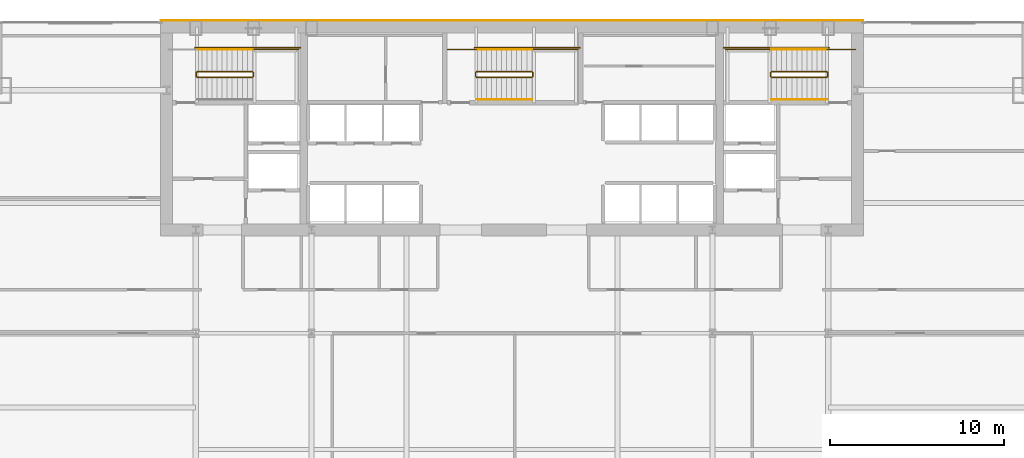
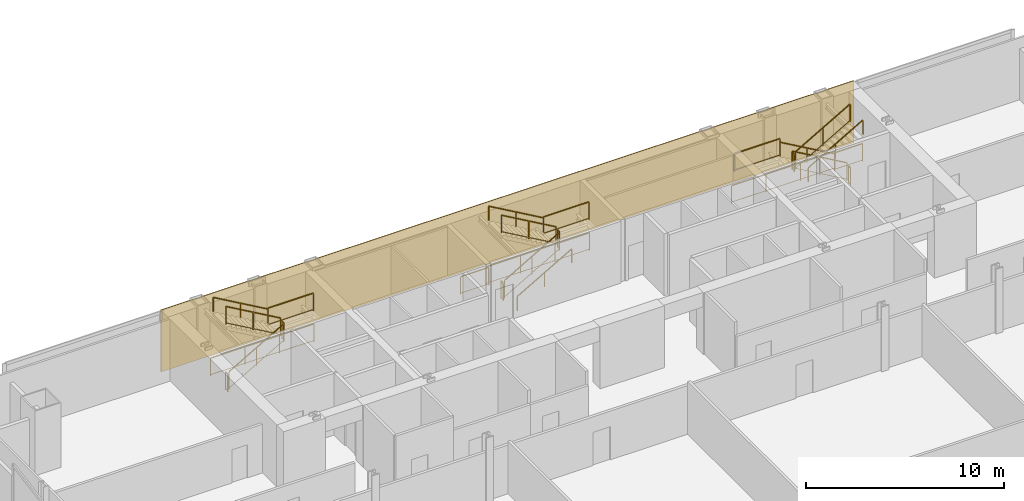
# One storey, part 30 of 30: 25 railings, 1 covering.
"""IFC4 building model written with IfcOpenShell, lengths in metres."""

from ifc_helpers import new_model, si_unit, direction, frame, origin, origin_2d, place, context, subcontext, project, spatial, polyline, rectangle, outline, extrude, material, layer, layer_set, type_object, element, save


model = new_model("IFC4")

# Units and contexts
model_context = context("Model", 3, precision=1e-05, world=origin(), true_north=direction((0.0, 1.0)))
body_context = subcontext(model_context, "Body", "Model", "MODEL_VIEW")
ifc_project = project(units=[si_unit("LENGTHUNIT", "METRE"), si_unit("AREAUNIT", "SQUARE_METRE"), si_unit("VOLUMEUNIT", "CUBIC_METRE"), si_unit("PLANEANGLEUNIT", "RADIAN"), si_unit("MASSUNIT", "GRAM", prefix="KILO")], contexts=[model_context])

# Site, building, storey
site_placement = place(None, origin())
site = spatial("IfcSite", under=ifc_project, at=site_placement, CompositionType="ELEMENT")
building_placement = place(site_placement, origin())
building = spatial("IfcBuilding", under=site, at=building_placement, Name="Khoronbel Lancet Exchange", CompositionType="ELEMENT")
storey_placement = place(building_placement, frame((0.0, 0.0, 90.60009765625)))
storey = spatial("IfcBuildingStorey", under=building, at=storey_placement, Name="L21", CompositionType="ELEMENT", Elevation=90.60009765625)

# Covering
ifc_material_1 = material(Name="Honed Egyptian Limestone & Bronze Rainscreen", Category="masonry")
ifc_layer = layer(ifc_material_1, 0.050048828125, Name="Honed Egyptian Limestone & Bronze Rainscreen")
ifc_layer_set = layer_set([ifc_layer], Name="Honed Egyptian Limestone & Bronze Rainscreen")
covering_type = type_object("IfcCoveringType", Name="COV-CLAD1", PredefinedType="CLADDING", material=ifc_layer_set)
covering_placement = place(storey_placement, origin())
element("IfcCovering", 1, at=covering_placement, inside=storey, type_object=covering_type, Name="Level L21 north rear-core stone and bronze rainscreen cladding", PredefinedType="CLADDING", context=body_context, shape_type="SweptSolid", body=[
    extrude(outline(polyline([(16.199951171875, 53.699951171875), (56.699951171875, 53.699951171875), (56.699951171875, 53.75), (16.199951171875, 53.75), (16.199951171875, 53.699951171875)])), origin(), (0.0, 0.0, 1.0), 3.81982421875),
])

# Railings
ifc_material_2 = material(Name="Painted Steel Balustrade", Category="steel")
railing_type_1 = type_object("IfcRailingType", Name="RL-STG110", PredefinedType="GUARDRAIL", material=ifc_material_2)
railing_1_placement = place(storey_placement, frame((18.300048828125, 50.449951171875, 0.16650390625)))
element("IfcRailing", 2, at=railing_1_placement, inside=storey, type_object=railing_type_1, Name="L21 ST1 stair guard 1", PredefinedType="GUARDRAIL", context=body_context, shape_type="SweptSolid", body=[
    extrude(rectangle(XDim=0.048095703125, YDim=0.048095703125, at=origin_2d()), frame((0.0, 0.0, 1.09619140625), z_axis=(0.86699087805, 0.0, 0.498324008431), x_axis=(0.0, 1.0, 0.0)), (0.0, 0.0, 1.0), 3.679443359375),
    extrude(rectangle(XDim=0.02392578125, YDim=0.02392578125, at=origin_2d()), frame((0.0, 0.0, 0.080078125), z_axis=(0.86699087805, 0.0, 0.498324008431), x_axis=(0.0, 1.0, 0.0)), (0.0, 0.0, 1.0), 3.679443359375),
    extrude(rectangle(XDim=0.0419921875, YDim=0.0419921875, at=origin_2d()), origin(), (0.0, 0.0, 1.0), 1.072021484375),
    extrude(rectangle(XDim=0.0419921875, YDim=0.0419921875, at=origin_2d()), frame((1.594970703125, 0.0, 0.916748046875)), (0.0, 0.0, 1.0), 1.072021484375),
    extrude(rectangle(XDim=0.0419921875, YDim=0.0419921875, at=origin_2d()), frame((3.18994140625, 0.0, 1.83349609375)), (0.0, 0.0, 1.0), 1.072021484375),
])
railing_2_placement = place(storey_placement, frame((21.5400390625, 50.5, 2.0)))
element("IfcRailing", 3, at=railing_2_placement, inside=storey, type_object=railing_type_1, Name="L21 ST1 stair guard 2", PredefinedType="GUARDRAIL", context=body_context, shape_type="SweptSolid", body=[
    extrude(rectangle(XDim=0.048095703125, YDim=0.048095703125, at=origin_2d()), frame((0.0, 0.0, 1.09619140625), z_axis=(0.0, 1.0, 0.0), x_axis=(-1.0, 0.0, 0.0)), (0.0, 0.0, 1.0), 0.219970703125),
    extrude(rectangle(XDim=0.02392578125, YDim=0.02392578125, at=origin_2d()), frame((0.0, 0.0, 0.080078125), z_axis=(0.0, 1.0, 0.0), x_axis=(-1.0, 0.0, 0.0)), (0.0, 0.0, 1.0), 0.219970703125),
    extrude(rectangle(XDim=0.0419921875, YDim=0.0419921875, at=origin_2d()), origin(), (0.0, 0.0, 1.0), 1.072021484375),
    extrude(rectangle(XDim=0.0419921875, YDim=0.0419921875, at=origin_2d()), frame((0.0, 0.219970703125, 0.0)), (0.0, 0.0, 1.0), 1.072021484375),
])
railing_3_placement = place(storey_placement, frame((21.489990234375, 52.050048828125, 2.0)))
element("IfcRailing", 4, at=railing_3_placement, inside=storey, type_object=railing_type_1, Name="L21 ST1 stair guard 3", PredefinedType="GUARDRAIL", context=body_context, shape_type="SweptSolid", body=[
    extrude(rectangle(XDim=0.048095703125, YDim=0.048095703125, at=origin_2d()), frame((0.0, 0.0, 1.09619140625), z_axis=(1.0, 0.0, 0.0), x_axis=(0.0, 1.0, 0.0)), (0.0, 0.0, 1.0), 2.659912109375),
    extrude(rectangle(XDim=0.02392578125, YDim=0.02392578125, at=origin_2d()), frame((0.0, 0.0, 0.080078125), z_axis=(1.0, 0.0, 0.0), x_axis=(0.0, 1.0, 0.0)), (0.0, 0.0, 1.0), 2.659912109375),
    extrude(rectangle(XDim=0.0419921875, YDim=0.0419921875, at=origin_2d()), origin(), (0.0, 0.0, 1.0), 1.072021484375),
    extrude(rectangle(XDim=0.0419921875, YDim=0.0419921875, at=origin_2d()), frame((2.659912109375, 0.0, 0.0)), (0.0, 0.0, 1.0), 1.072021484375),
])
railing_4_placement = place(storey_placement, frame((21.489990234375, 50.77001953125, 2.16650390625)))
element("IfcRailing", 5, at=railing_4_placement, inside=storey, type_object=railing_type_1, Name="L21 ST1 stair guard 4", PredefinedType="GUARDRAIL", context=body_context, shape_type="SweptSolid", body=[
    extrude(rectangle(XDim=0.048095703125, YDim=0.048095703125, at=origin_2d()), frame((0.0, 0.0, 1.09619140625), z_axis=(-0.86699087805, 0.0, 0.498324008431), x_axis=(0.0, -1.0, 0.0)), (0.0, 0.0, 1.0), 3.679443359375),
    extrude(rectangle(XDim=0.02392578125, YDim=0.02392578125, at=origin_2d()), frame((0.0, 0.0, 0.080078125), z_axis=(-0.86699087805, 0.0, 0.498324008431), x_axis=(0.0, -1.0, 0.0)), (0.0, 0.0, 1.0), 3.679443359375),
    extrude(rectangle(XDim=0.0419921875, YDim=0.0419921875, at=origin_2d()), origin(), (0.0, 0.0, 1.0), 1.072021484375),
    extrude(rectangle(XDim=0.0419921875, YDim=0.0419921875, at=origin_2d()), frame((-1.594970703125, 0.0, 0.916748046875)), (0.0, 0.0, 1.0), 1.072021484375),
    extrude(rectangle(XDim=0.0419921875, YDim=0.0419921875, at=origin_2d()), frame((-3.18994140625, 0.0, 1.83349609375)), (0.0, 0.0, 1.0), 1.072021484375),
])
railing_5_placement = place(storey_placement, frame((18.25, 50.5, 0.0)))
element("IfcRailing", 6, at=railing_5_placement, inside=storey, type_object=railing_type_1, Name="L21 ST1 stair guard 5", PredefinedType="GUARDRAIL", context=body_context, shape_type="SweptSolid", body=[
    extrude(rectangle(XDim=0.048095703125, YDim=0.048095703125, at=origin_2d()), frame((0.0, 0.0, 1.09619140625), z_axis=(0.0, 1.0, 0.0), x_axis=(-1.0, 0.0, 0.0)), (0.0, 0.0, 1.0), 0.219970703125),
    extrude(rectangle(XDim=0.02392578125, YDim=0.02392578125, at=origin_2d()), frame((0.0, 0.0, 0.080078125), z_axis=(0.0, 1.0, 0.0), x_axis=(-1.0, 0.0, 0.0)), (0.0, 0.0, 1.0), 0.219970703125),
    extrude(rectangle(XDim=0.0419921875, YDim=0.0419921875, at=origin_2d()), origin(), (0.0, 0.0, 1.0), 1.072021484375),
    extrude(rectangle(XDim=0.0419921875, YDim=0.0419921875, at=origin_2d()), frame((0.0, 0.219970703125, 0.0)), (0.0, 0.0, 1.0), 1.072021484375),
])
railing_6_placement = place(storey_placement, frame((18.199951171875, 52.14990234375, 0.0)))
element("IfcRailing", 7, at=railing_6_placement, inside=storey, type_object=railing_type_1, Name="L21 ST1 stair guard 7", PredefinedType="GUARDRAIL", context=body_context, shape_type="SweptSolid", body=[
    extrude(rectangle(XDim=0.048095703125, YDim=0.048095703125, at=origin_2d()), frame((0.0, 0.0, 1.09619140625), z_axis=(1.0, 0.0, 0.0), x_axis=(0.0, 1.0, 0.0)), (0.0, 0.0, 1.0), 6.050048828125),
    extrude(rectangle(XDim=0.02392578125, YDim=0.02392578125, at=origin_2d()), frame((0.0, 0.0, 0.080078125), z_axis=(1.0, 0.0, 0.0), x_axis=(0.0, 1.0, 0.0)), (0.0, 0.0, 1.0), 6.050048828125),
    extrude(rectangle(XDim=0.0419921875, YDim=0.0419921875, at=origin_2d()), origin(), (0.0, 0.0, 1.0), 1.072021484375),
    extrude(rectangle(XDim=0.0419921875, YDim=0.0419921875, at=origin_2d()), frame((2.0166015625, 0.0, 0.0)), (0.0, 0.0, 1.0), 1.072021484375),
    extrude(rectangle(XDim=0.0419921875, YDim=0.0419921875, at=origin_2d()), frame((4.033447265625, 0.0, 0.0)), (0.0, 0.0, 1.0), 1.072021484375),
    extrude(rectangle(XDim=0.0419921875, YDim=0.0419921875, at=origin_2d()), frame((6.050048828125, 0.0, 0.0)), (0.0, 0.0, 1.0), 1.072021484375),
])
railing_7_placement = place(storey_placement, frame((54.60009765625, 50.77001953125, 0.16650390625)))
element("IfcRailing", 8, at=railing_7_placement, inside=storey, type_object=railing_type_1, Name="L21 ST2 stair guard 1", PredefinedType="GUARDRAIL", context=body_context, shape_type="SweptSolid", body=[
    extrude(rectangle(XDim=0.048095703125, YDim=0.048095703125, at=origin_2d()), frame((0.0, 0.0, 1.09619140625), z_axis=(-0.867007354286, 0.0, 0.498295341753), x_axis=(0.0, -1.0, 0.0)), (0.0, 0.0, 1.0), 3.679443359375),
    extrude(rectangle(XDim=0.02392578125, YDim=0.02392578125, at=origin_2d()), frame((0.0, 0.0, 0.080078125), z_axis=(-0.867007354286, 0.0, 0.498295341753), x_axis=(0.0, -1.0, 0.0)), (0.0, 0.0, 1.0), 3.679443359375),
    extrude(rectangle(XDim=0.0419921875, YDim=0.0419921875, at=origin_2d()), origin(), (0.0, 0.0, 1.0), 1.072021484375),
    extrude(rectangle(XDim=0.0419921875, YDim=0.0419921875, at=origin_2d()), frame((-1.59521484375, 0.0, 0.916748046875)), (0.0, 0.0, 1.0), 1.072021484375),
    extrude(rectangle(XDim=0.0419921875, YDim=0.0419921875, at=origin_2d()), frame((-3.190185546875, 0.0, 1.83349609375)), (0.0, 0.0, 1.0), 1.072021484375),
])
railing_8_placement = place(storey_placement, frame((51.360107421875, 50.719970703125, 2.0)))
element("IfcRailing", 9, at=railing_8_placement, inside=storey, type_object=railing_type_1, Name="L21 ST2 stair guard 2", PredefinedType="GUARDRAIL", context=body_context, shape_type="SweptSolid", body=[
    extrude(rectangle(XDim=0.048095703125, YDim=0.048095703125, at=origin_2d()), frame((0.0, 0.0, 1.09619140625), z_axis=(0.0, -1.0, 0.0), x_axis=(1.0, 0.0, 0.0)), (0.0, 0.0, 1.0), 0.219970703125),
    extrude(rectangle(XDim=0.02392578125, YDim=0.02392578125, at=origin_2d()), frame((0.0, 0.0, 0.080078125), z_axis=(0.0, -1.0, 0.0), x_axis=(1.0, 0.0, 0.0)), (0.0, 0.0, 1.0), 0.219970703125),
    extrude(rectangle(XDim=0.0419921875, YDim=0.0419921875, at=origin_2d()), origin(), (0.0, 0.0, 1.0), 1.072021484375),
    extrude(rectangle(XDim=0.0419921875, YDim=0.0419921875, at=origin_2d()), frame((0.0, -0.219970703125, 0.0)), (0.0, 0.0, 1.0), 1.072021484375),
])
railing_9_placement = place(storey_placement, frame((51.409912109375, 52.050048828125, 2.0)))
element("IfcRailing", 10, at=railing_9_placement, inside=storey, type_object=railing_type_1, Name="L21 ST2 stair guard 3", PredefinedType="GUARDRAIL", context=body_context, shape_type="SweptSolid", body=[
    extrude(rectangle(XDim=0.048095703125, YDim=0.048095703125, at=origin_2d()), frame((0.0, 0.0, 1.09619140625), z_axis=(-1.0, 0.0, 0.0), x_axis=(0.0, -1.0, 0.0)), (0.0, 0.0, 1.0), 2.659912109375),
    extrude(rectangle(XDim=0.02392578125, YDim=0.02392578125, at=origin_2d()), frame((0.0, 0.0, 0.080078125), z_axis=(-1.0, 0.0, 0.0), x_axis=(0.0, -1.0, 0.0)), (0.0, 0.0, 1.0), 2.659912109375),
    extrude(rectangle(XDim=0.0419921875, YDim=0.0419921875, at=origin_2d()), origin(), (0.0, 0.0, 1.0), 1.072021484375),
    extrude(rectangle(XDim=0.0419921875, YDim=0.0419921875, at=origin_2d()), frame((-2.659912109375, 0.0, 0.0)), (0.0, 0.0, 1.0), 1.072021484375),
])
railing_10_placement = place(storey_placement, frame((51.409912109375, 50.449951171875, 2.16650390625)))
element("IfcRailing", 11, at=railing_10_placement, inside=storey, type_object=railing_type_1, Name="L21 ST2 stair guard 4", PredefinedType="GUARDRAIL", context=body_context, shape_type="SweptSolid", body=[
    extrude(rectangle(XDim=0.048095703125, YDim=0.048095703125, at=origin_2d()), frame((0.0, 0.0, 1.09619140625), z_axis=(0.867007354286, 0.0, 0.498295341753), x_axis=(0.0, 1.0, 0.0)), (0.0, 0.0, 1.0), 3.679443359375),
    extrude(rectangle(XDim=0.02392578125, YDim=0.02392578125, at=origin_2d()), frame((0.0, 0.0, 0.080078125), z_axis=(0.867007354286, 0.0, 0.498295341753), x_axis=(0.0, 1.0, 0.0)), (0.0, 0.0, 1.0), 3.679443359375),
    extrude(rectangle(XDim=0.0419921875, YDim=0.0419921875, at=origin_2d()), origin(), (0.0, 0.0, 1.0), 1.072021484375),
    extrude(rectangle(XDim=0.0419921875, YDim=0.0419921875, at=origin_2d()), frame((1.59521484375, 0.0, 0.916748046875)), (0.0, 0.0, 1.0), 1.072021484375),
    extrude(rectangle(XDim=0.0419921875, YDim=0.0419921875, at=origin_2d()), frame((3.190185546875, 0.0, 1.83349609375)), (0.0, 0.0, 1.0), 1.072021484375),
])
railing_11_placement = place(storey_placement, frame((54.64990234375, 50.719970703125, 0.0)))
element("IfcRailing", 12, at=railing_11_placement, inside=storey, type_object=railing_type_1, Name="L21 ST2 stair guard 5", PredefinedType="GUARDRAIL", context=body_context, shape_type="SweptSolid", body=[
    extrude(rectangle(XDim=0.048095703125, YDim=0.048095703125, at=origin_2d()), frame((0.0, 0.0, 1.09619140625), z_axis=(0.0, -1.0, 0.0), x_axis=(1.0, 0.0, 0.0)), (0.0, 0.0, 1.0), 0.219970703125),
    extrude(rectangle(XDim=0.02392578125, YDim=0.02392578125, at=origin_2d()), frame((0.0, 0.0, 0.080078125), z_axis=(0.0, -1.0, 0.0), x_axis=(1.0, 0.0, 0.0)), (0.0, 0.0, 1.0), 0.219970703125),
    extrude(rectangle(XDim=0.0419921875, YDim=0.0419921875, at=origin_2d()), origin(), (0.0, 0.0, 1.0), 1.072021484375),
    extrude(rectangle(XDim=0.0419921875, YDim=0.0419921875, at=origin_2d()), frame((0.0, -0.219970703125, 0.0)), (0.0, 0.0, 1.0), 1.072021484375),
])
railing_12_placement = place(storey_placement, frame((56.25, 52.050048828125, 0.0)))
element("IfcRailing", 13, at=railing_12_placement, inside=storey, type_object=railing_type_1, Name="L21 ST2 stair guard 6", PredefinedType="GUARDRAIL", context=body_context, shape_type="SweptSolid", body=[
    extrude(rectangle(XDim=0.048095703125, YDim=0.048095703125, at=origin_2d()), frame((0.0, 0.0, 1.09619140625), z_axis=(-1.0, 0.0, 0.0), x_axis=(0.0, -1.0, 0.0)), (0.0, 0.0, 1.0), 1.64990234375),
    extrude(rectangle(XDim=0.02392578125, YDim=0.02392578125, at=origin_2d()), frame((0.0, 0.0, 0.080078125), z_axis=(-1.0, 0.0, 0.0), x_axis=(0.0, -1.0, 0.0)), (0.0, 0.0, 1.0), 1.64990234375),
    extrude(rectangle(XDim=0.0419921875, YDim=0.0419921875, at=origin_2d()), origin(), (0.0, 0.0, 1.0), 1.072021484375),
    extrude(rectangle(XDim=0.0419921875, YDim=0.0419921875, at=origin_2d()), frame((-1.64990234375, 0.0, 0.0)), (0.0, 0.0, 1.0), 1.072021484375),
])
railing_13_placement = place(storey_placement, frame((54.699951171875, 52.14990234375, 0.0)))
element("IfcRailing", 14, at=railing_13_placement, inside=storey, type_object=railing_type_1, Name="L21 ST2 stair guard 7", PredefinedType="GUARDRAIL", context=body_context, shape_type="SweptSolid", body=[
    extrude(rectangle(XDim=0.048095703125, YDim=0.048095703125, at=origin_2d()), frame((0.0, 0.0, 1.09619140625), z_axis=(-1.0, 0.0, 0.0), x_axis=(0.0, -1.0, 0.0)), (0.0, 0.0, 1.0), 6.050048828125),
    extrude(rectangle(XDim=0.02392578125, YDim=0.02392578125, at=origin_2d()), frame((0.0, 0.0, 0.080078125), z_axis=(-1.0, 0.0, 0.0), x_axis=(0.0, -1.0, 0.0)), (0.0, 0.0, 1.0), 6.050048828125),
    extrude(rectangle(XDim=0.0419921875, YDim=0.0419921875, at=origin_2d()), origin(), (0.0, 0.0, 1.0), 1.072021484375),
    extrude(rectangle(XDim=0.0419921875, YDim=0.0419921875, at=origin_2d()), frame((-2.0166015625, 0.0, 0.0)), (0.0, 0.0, 1.0), 1.072021484375),
    extrude(rectangle(XDim=0.0419921875, YDim=0.0419921875, at=origin_2d()), frame((-4.033447265625, 0.0, 0.0)), (0.0, 0.0, 1.0), 1.072021484375),
    extrude(rectangle(XDim=0.0419921875, YDim=0.0419921875, at=origin_2d()), frame((-6.050048828125, 0.0, 0.0)), (0.0, 0.0, 1.0), 1.072021484375),
])
railing_14_placement = place(storey_placement, frame((34.39990234375, 50.449951171875, 0.16650390625)))
element("IfcRailing", 15, at=railing_14_placement, inside=storey, type_object=railing_type_1, Name="L21 ST3 stair guard 1", PredefinedType="GUARDRAIL", context=body_context, shape_type="SweptSolid", body=[
    extrude(rectangle(XDim=0.048095703125, YDim=0.048095703125, at=origin_2d()), frame((0.0, 0.0, 1.09619140625), z_axis=(0.867007354286, 0.0, 0.498295341753), x_axis=(0.0, 1.0, 0.0)), (0.0, 0.0, 1.0), 3.679443359375),
    extrude(rectangle(XDim=0.02392578125, YDim=0.02392578125, at=origin_2d()), frame((0.0, 0.0, 0.080078125), z_axis=(0.867007354286, 0.0, 0.498295341753), x_axis=(0.0, 1.0, 0.0)), (0.0, 0.0, 1.0), 3.679443359375),
    extrude(rectangle(XDim=0.0419921875, YDim=0.0419921875, at=origin_2d()), origin(), (0.0, 0.0, 1.0), 1.072021484375),
    extrude(rectangle(XDim=0.0419921875, YDim=0.0419921875, at=origin_2d()), frame((1.59521484375, 0.0, 0.916748046875)), (0.0, 0.0, 1.0), 1.072021484375),
    extrude(rectangle(XDim=0.0419921875, YDim=0.0419921875, at=origin_2d()), frame((3.190185546875, 0.0, 1.83349609375)), (0.0, 0.0, 1.0), 1.072021484375),
])
railing_15_placement = place(storey_placement, frame((37.639892578125, 50.5, 2.0)))
element("IfcRailing", 16, at=railing_15_placement, inside=storey, type_object=railing_type_1, Name="L21 ST3 stair guard 2", PredefinedType="GUARDRAIL", context=body_context, shape_type="SweptSolid", body=[
    extrude(rectangle(XDim=0.048095703125, YDim=0.048095703125, at=origin_2d()), frame((0.0, 0.0, 1.09619140625), z_axis=(0.0, 1.0, 0.0), x_axis=(-1.0, 0.0, 0.0)), (0.0, 0.0, 1.0), 0.219970703125),
    extrude(rectangle(XDim=0.02392578125, YDim=0.02392578125, at=origin_2d()), frame((0.0, 0.0, 0.080078125), z_axis=(0.0, 1.0, 0.0), x_axis=(-1.0, 0.0, 0.0)), (0.0, 0.0, 1.0), 0.219970703125),
    extrude(rectangle(XDim=0.0419921875, YDim=0.0419921875, at=origin_2d()), origin(), (0.0, 0.0, 1.0), 1.072021484375),
    extrude(rectangle(XDim=0.0419921875, YDim=0.0419921875, at=origin_2d()), frame((0.0, 0.219970703125, 0.0)), (0.0, 0.0, 1.0), 1.072021484375),
])
railing_16_placement = place(storey_placement, frame((37.590087890625, 52.050048828125, 2.0)))
element("IfcRailing", 17, at=railing_16_placement, inside=storey, type_object=railing_type_1, Name="L21 ST3 stair guard 3", PredefinedType="GUARDRAIL", context=body_context, shape_type="SweptSolid", body=[
    extrude(rectangle(XDim=0.048095703125, YDim=0.048095703125, at=origin_2d()), frame((0.0, 0.0, 1.09619140625), z_axis=(1.0, 0.0, 0.0), x_axis=(0.0, 1.0, 0.0)), (0.0, 0.0, 1.0), 2.659912109375),
    extrude(rectangle(XDim=0.02392578125, YDim=0.02392578125, at=origin_2d()), frame((0.0, 0.0, 0.080078125), z_axis=(1.0, 0.0, 0.0), x_axis=(0.0, 1.0, 0.0)), (0.0, 0.0, 1.0), 2.659912109375),
    extrude(rectangle(XDim=0.0419921875, YDim=0.0419921875, at=origin_2d()), origin(), (0.0, 0.0, 1.0), 1.072021484375),
    extrude(rectangle(XDim=0.0419921875, YDim=0.0419921875, at=origin_2d()), frame((2.659912109375, 0.0, 0.0)), (0.0, 0.0, 1.0), 1.072021484375),
])
railing_17_placement = place(storey_placement, frame((37.590087890625, 50.77001953125, 2.16650390625)))
element("IfcRailing", 18, at=railing_17_placement, inside=storey, type_object=railing_type_1, Name="L21 ST3 stair guard 4", PredefinedType="GUARDRAIL", context=body_context, shape_type="SweptSolid", body=[
    extrude(rectangle(XDim=0.048095703125, YDim=0.048095703125, at=origin_2d()), frame((0.0, 0.0, 1.09619140625), z_axis=(-0.867007354286, 0.0, 0.498295341753), x_axis=(0.0, -1.0, 0.0)), (0.0, 0.0, 1.0), 3.679443359375),
    extrude(rectangle(XDim=0.02392578125, YDim=0.02392578125, at=origin_2d()), frame((0.0, 0.0, 0.080078125), z_axis=(-0.867007354286, 0.0, 0.498295341753), x_axis=(0.0, -1.0, 0.0)), (0.0, 0.0, 1.0), 3.679443359375),
    extrude(rectangle(XDim=0.0419921875, YDim=0.0419921875, at=origin_2d()), origin(), (0.0, 0.0, 1.0), 1.072021484375),
    extrude(rectangle(XDim=0.0419921875, YDim=0.0419921875, at=origin_2d()), frame((-1.59521484375, 0.0, 0.916748046875)), (0.0, 0.0, 1.0), 1.072021484375),
    extrude(rectangle(XDim=0.0419921875, YDim=0.0419921875, at=origin_2d()), frame((-3.190185546875, 0.0, 1.83349609375)), (0.0, 0.0, 1.0), 1.072021484375),
])
railing_18_placement = place(storey_placement, frame((34.35009765625, 50.5, 0.0)))
element("IfcRailing", 19, at=railing_18_placement, inside=storey, type_object=railing_type_1, Name="L21 ST3 stair guard 5", PredefinedType="GUARDRAIL", context=body_context, shape_type="SweptSolid", body=[
    extrude(rectangle(XDim=0.048095703125, YDim=0.048095703125, at=origin_2d()), frame((0.0, 0.0, 1.09619140625), z_axis=(0.0, 1.0, 0.0), x_axis=(-1.0, 0.0, 0.0)), (0.0, 0.0, 1.0), 0.219970703125),
    extrude(rectangle(XDim=0.02392578125, YDim=0.02392578125, at=origin_2d()), frame((0.0, 0.0, 0.080078125), z_axis=(0.0, 1.0, 0.0), x_axis=(-1.0, 0.0, 0.0)), (0.0, 0.0, 1.0), 0.219970703125),
    extrude(rectangle(XDim=0.0419921875, YDim=0.0419921875, at=origin_2d()), origin(), (0.0, 0.0, 1.0), 1.072021484375),
    extrude(rectangle(XDim=0.0419921875, YDim=0.0419921875, at=origin_2d()), frame((0.0, 0.219970703125, 0.0)), (0.0, 0.0, 1.0), 1.072021484375),
])
railing_19_placement = place(storey_placement, frame((32.75, 52.050048828125, 0.0)))
element("IfcRailing", 20, at=railing_19_placement, inside=storey, type_object=railing_type_1, Name="L21 ST3 stair guard 6", PredefinedType="GUARDRAIL", context=body_context, shape_type="SweptSolid", body=[
    extrude(rectangle(XDim=0.048095703125, YDim=0.048095703125, at=origin_2d()), frame((0.0, 0.0, 1.09619140625), z_axis=(1.0, 0.0, 0.0), x_axis=(0.0, 1.0, 0.0)), (0.0, 0.0, 1.0), 1.64990234375),
    extrude(rectangle(XDim=0.02392578125, YDim=0.02392578125, at=origin_2d()), frame((0.0, 0.0, 0.080078125), z_axis=(1.0, 0.0, 0.0), x_axis=(0.0, 1.0, 0.0)), (0.0, 0.0, 1.0), 1.64990234375),
    extrude(rectangle(XDim=0.0419921875, YDim=0.0419921875, at=origin_2d()), origin(), (0.0, 0.0, 1.0), 1.072021484375),
    extrude(rectangle(XDim=0.0419921875, YDim=0.0419921875, at=origin_2d()), frame((1.64990234375, 0.0, 0.0)), (0.0, 0.0, 1.0), 1.072021484375),
])
railing_20_placement = place(storey_placement, frame((34.300048828125, 52.14990234375, 0.0)))
element("IfcRailing", 21, at=railing_20_placement, inside=storey, type_object=railing_type_1, Name="L21 ST3 stair guard 7", PredefinedType="GUARDRAIL", context=body_context, shape_type="SweptSolid", body=[
    extrude(rectangle(XDim=0.048095703125, YDim=0.048095703125, at=origin_2d()), frame((0.0, 0.0, 1.09619140625), z_axis=(1.0, 0.0, 0.0), x_axis=(0.0, 1.0, 0.0)), (0.0, 0.0, 1.0), 6.050048828125),
    extrude(rectangle(XDim=0.02392578125, YDim=0.02392578125, at=origin_2d()), frame((0.0, 0.0, 0.080078125), z_axis=(1.0, 0.0, 0.0), x_axis=(0.0, 1.0, 0.0)), (0.0, 0.0, 1.0), 6.050048828125),
    extrude(rectangle(XDim=0.0419921875, YDim=0.0419921875, at=origin_2d()), origin(), (0.0, 0.0, 1.0), 1.072021484375),
    extrude(rectangle(XDim=0.0419921875, YDim=0.0419921875, at=origin_2d()), frame((2.0166015625, 0.0, 0.0)), (0.0, 0.0, 1.0), 1.072021484375),
    extrude(rectangle(XDim=0.0419921875, YDim=0.0419921875, at=origin_2d()), frame((4.033447265625, 0.0, 0.0)), (0.0, 0.0, 1.0), 1.072021484375),
    extrude(rectangle(XDim=0.0419921875, YDim=0.0419921875, at=origin_2d()), frame((6.050048828125, 0.0, 0.0)), (0.0, 0.0, 1.0), 1.072021484375),
])
ifc_material_3 = material(Name="Brushed Stainless Steel 316", Category="steel")
railing_type_2 = type_object("IfcRailingType", Name="RL-STH92", PredefinedType="HANDRAIL", material=ifc_material_3)
railing_21_placement = place(storey_placement, frame((21.489990234375, 52.050048828125, 2.16650390625)))
element("IfcRailing", 22, at=railing_21_placement, inside=storey, type_object=railing_type_2, Name="L21 ST1 stair handrail 2", PredefinedType="HANDRAIL", context=body_context, shape_type="SweptSolid", body=[
    extrude(rectangle(XDim=0.048095703125, YDim=0.048095703125, at=origin_2d()), frame((0.0, 0.0, 0.8759765625), z_axis=(-0.86699087805, 0.0, 0.498324008431), x_axis=(0.0, -1.0, 0.0)), (0.0, 0.0, 1.0), 3.679443359375),
    extrude(rectangle(XDim=0.0419921875, YDim=0.0419921875, at=origin_2d()), origin(), (0.0, 0.0, 1.0), 0.851806640625),
    extrude(rectangle(XDim=0.0419921875, YDim=0.0419921875, at=origin_2d()), frame((-1.594970703125, 0.0, 0.916748046875)), (0.0, 0.0, 1.0), 0.851806640625),
    extrude(rectangle(XDim=0.0419921875, YDim=0.0419921875, at=origin_2d()), frame((-3.18994140625, 0.0, 1.83349609375)), (0.0, 0.0, 1.0), 0.851806640625),
])
railing_22_placement = place(storey_placement, frame((54.60009765625, 52.050048828125, 0.16650390625)))
element("IfcRailing", 23, at=railing_22_placement, inside=storey, type_object=railing_type_2, Name="L21 ST2 stair handrail 1", PredefinedType="HANDRAIL", context=body_context, shape_type="SweptSolid", body=[
    extrude(rectangle(XDim=0.048095703125, YDim=0.048095703125, at=origin_2d()), frame((0.0, 0.0, 0.8759765625), z_axis=(-0.867007354286, 0.0, 0.498295341753), x_axis=(0.0, -1.0, 0.0)), (0.0, 0.0, 1.0), 3.679443359375),
    extrude(rectangle(XDim=0.0419921875, YDim=0.0419921875, at=origin_2d()), origin(), (0.0, 0.0, 1.0), 0.851806640625),
    extrude(rectangle(XDim=0.0419921875, YDim=0.0419921875, at=origin_2d()), frame((-1.59521484375, 0.0, 0.916748046875)), (0.0, 0.0, 1.0), 0.851806640625),
    extrude(rectangle(XDim=0.0419921875, YDim=0.0419921875, at=origin_2d()), frame((-3.190185546875, 0.0, 1.83349609375)), (0.0, 0.0, 1.0), 0.851806640625),
])
for number, where, name in (
    (24, (51.409912109375, 49.169921875, 2.16650390625), "L21 ST2 stair handrail 2"),
    (25, (34.39990234375, 49.169921875, 0.16650390625), "L21 ST3 stair handrail 1"),
):
    element("IfcRailing", number, at=place(storey_placement, frame(where)), inside=storey, type_object=railing_type_2, Name=name, PredefinedType="HANDRAIL", context=body_context, shape_type="SweptSolid", body=[
        extrude(rectangle(XDim=0.048095703125, YDim=0.048095703125, at=origin_2d()), frame((0.0, 0.0, 0.8759765625), z_axis=(0.867007354286, 0.0, 0.498295341753), x_axis=(0.0, 1.0, 0.0)), (0.0, 0.0, 1.0), 3.679443359375),
        extrude(rectangle(XDim=0.0419921875, YDim=0.0419921875, at=origin_2d()), origin(), (0.0, 0.0, 1.0), 0.851806640625),
        extrude(rectangle(XDim=0.0419921875, YDim=0.0419921875, at=origin_2d()), frame((1.59521484375, 0.0, 0.916748046875)), (0.0, 0.0, 1.0), 0.851806640625),
        extrude(rectangle(XDim=0.0419921875, YDim=0.0419921875, at=origin_2d()), frame((3.190185546875, 0.0, 1.83349609375)), (0.0, 0.0, 1.0), 0.851806640625),
    ])
railing_23_placement = place(storey_placement, frame((37.590087890625, 52.050048828125, 2.16650390625)))
element("IfcRailing", 26, at=railing_23_placement, inside=storey, type_object=railing_type_2, Name="L21 ST3 stair handrail 2", PredefinedType="HANDRAIL", context=body_context, shape_type="SweptSolid", body=[
    extrude(rectangle(XDim=0.048095703125, YDim=0.048095703125, at=origin_2d()), frame((0.0, 0.0, 0.8759765625), z_axis=(-0.867007354286, 0.0, 0.498295341753), x_axis=(0.0, -1.0, 0.0)), (0.0, 0.0, 1.0), 3.679443359375),
    extrude(rectangle(XDim=0.0419921875, YDim=0.0419921875, at=origin_2d()), origin(), (0.0, 0.0, 1.0), 0.851806640625),
    extrude(rectangle(XDim=0.0419921875, YDim=0.0419921875, at=origin_2d()), frame((-1.59521484375, 0.0, 0.916748046875)), (0.0, 0.0, 1.0), 0.851806640625),
    extrude(rectangle(XDim=0.0419921875, YDim=0.0419921875, at=origin_2d()), frame((-3.190185546875, 0.0, 1.83349609375)), (0.0, 0.0, 1.0), 0.851806640625),
])

save(model, "model.ifc")
